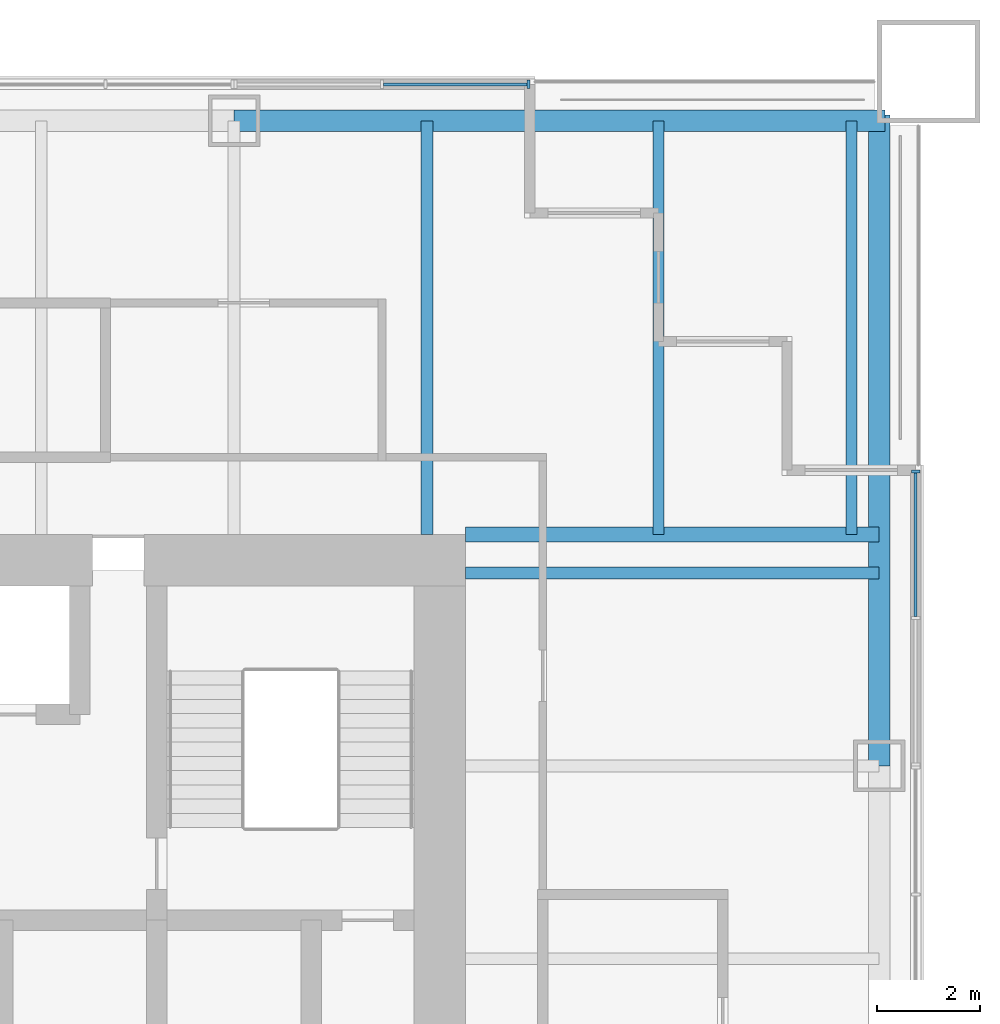
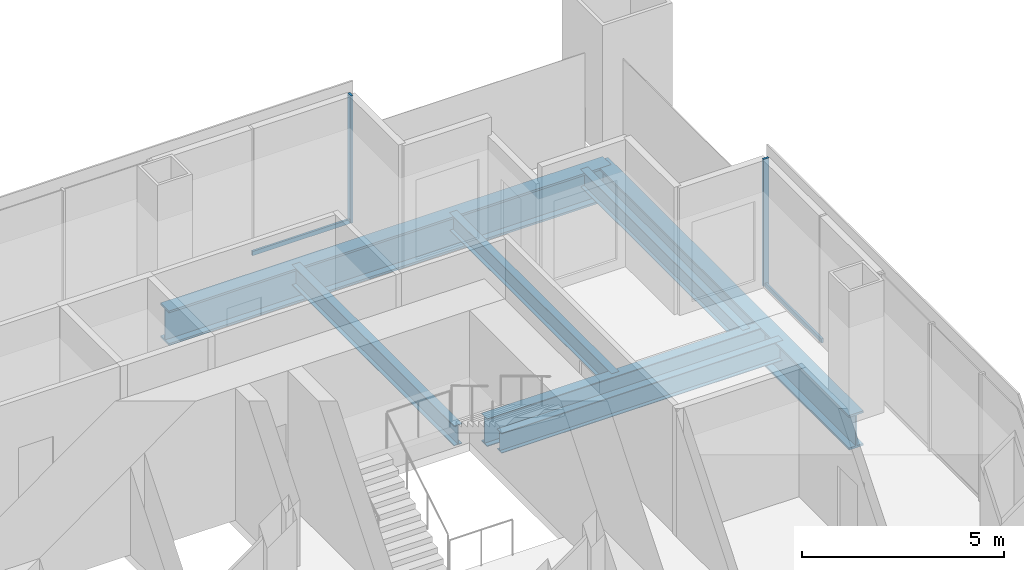
# One storey, part 7 of 14: 7 beams, 4 members, 2 elements without a shape of their own.
"""IFC4 building model written with IfcOpenShell, lengths in metres."""

from ifc_helpers import new_model, si_unit, direction, frame, origin, origin_2d, place, context, subcontext, project, spatial, rectangle, i_section, extrude, material, material_profile, profile_set, type_object, element, aggregate, save


model = new_model("IFC4")

# Units and contexts
model_context = context("Model", 3, precision=1e-05, world=origin(), true_north=direction((0.0, 1.0)))
body_context = subcontext(model_context, "Body", "Model", "MODEL_VIEW")
ifc_project = project(units=[si_unit("LENGTHUNIT", "METRE"), si_unit("AREAUNIT", "SQUARE_METRE"), si_unit("VOLUMEUNIT", "CUBIC_METRE"), si_unit("PLANEANGLEUNIT", "RADIAN"), si_unit("MASSUNIT", "GRAM", prefix="KILO")], contexts=[model_context])

# Site, building, storey
site_placement = place(None, origin())
site = spatial("IfcSite", under=ifc_project, at=site_placement, CompositionType="ELEMENT")
building_placement = place(site_placement, origin())
building = spatial("IfcBuilding", under=site, at=building_placement, Name="Tarangal Relay Tower", CompositionType="ELEMENT")
storey_placement = place(building_placement, frame((0.0, 0.0, 323.89990234375)))
storey = spatial("IfcBuildingStorey", under=building, at=storey_placement, Name="L72", CompositionType="ELEMENT", Elevation=323.89990234375)

# Beams
ifc_material_1 = material(Name="Steel ASTM A992", Category="steel")
ifc_material_profile_1 = material_profile(ifc_material_1, i_section(OverallWidth=0.209228515625, OverallDepth=0.533447265625, WebThickness=0.01025390625, FlangeThickness=0.015625, at=origin_2d()), Name="W21X62")
ifc_profile_set_1 = profile_set([ifc_material_profile_1], Name="Steel ASTM A992")
beam_type_1 = type_object("IfcBeamType", Name="Corner beam W21X62", PredefinedType="JOIST", material=ifc_profile_set_1)
for number, where, z_axis, x_axis, name in (
    (1, (15.75, 12.0, -0.41650390625), (0.0, 1.0, 0.0), (-1.0, 0.0, 0.0), "Corner beam CB12 N L72"),
    (2, (19.5, 12.0, -0.41650390625), (0.0, 1.0, 0.0), (-1.0, 0.0, 0.0), "Corner beam CB12 N L72"),
):
    element("IfcBeam", number, at=place(storey_placement, frame(where, z_axis=z_axis, x_axis=x_axis)), inside=storey, type_object=beam_type_1, Name=name, PredefinedType="JOIST", context=body_context, shape_type="SweptSolid", body=[
        extrude(i_section(OverallWidth=0.209228515625, OverallDepth=0.533447265625, WebThickness=0.01025390625, FlangeThickness=0.015625, at=origin_2d()), origin(), (0.0, 0.0, 1.0), 8.0400390625),
    ])
ifc_material_profile_2 = material_profile(ifc_material_1, i_section(OverallWidth=0.2919921875, OverallDepth=0.8408203125, WebThickness=0.0146484375, FlangeThickness=0.021728515625, at=origin_2d()), Name="W33X130")
ifc_profile_set_2 = profile_set([ifc_material_profile_2], Name="Steel ASTM A992")
beam_type_2 = type_object("IfcBeamType", Name="Corner girder W33X130", PredefinedType="BEAM", material=ifc_profile_set_2)
beam_placement = place(storey_placement, frame((12.0, 12.0, -0.5703125), z_axis=(1.0, 0.0, 0.0), x_axis=(0.0, 1.0, 0.0)))
element("IfcBeam", 3, at=beam_placement, inside=storey, type_object=beam_type_2, Name="Corner girder CG5 N L72", PredefinedType="BEAM", context=body_context, shape_type="SweptSolid", body=[
    extrude(i_section(OverallWidth=0.2919921875, OverallDepth=0.8408203125, WebThickness=0.0146484375, FlangeThickness=0.021728515625, at=origin_2d()), origin(), (0.0, 0.0, 1.0), 8.0400390625),
])
ifc_material_profile_3 = material_profile(ifc_material_1, i_section(OverallWidth=0.41162109375, OverallDepth=1.049072265625, WebThickness=0.033935546875, FlangeThickness=0.059814453125, at=origin_2d()), Name="W40X431")
ifc_profile_set_3 = profile_set([ifc_material_profile_3], Name="Steel ASTM A992")
beam_type_3 = type_object("IfcBeamType", Name="Edge girder W40X431", PredefinedType="SPANDREL", material=ifc_profile_set_3)
for number, where, z_axis, x_axis, name in (
    (4, (7.5, 20.0400390625, -0.67431640625), (1.0, 0.0, 0.0), (0.0, 1.0, 0.0), "Edge girder EG1 N L72"),
    (5, (20.0400390625, 20.14990234375, -0.67431640625), (0.0, -1.0, 0.0), (1.0, 0.0, 0.0), "Edge girder EG1 E L72"),
):
    element("IfcBeam", number, at=place(storey_placement, frame(where, z_axis=z_axis, x_axis=x_axis)), inside=storey, type_object=beam_type_3, Name=name, PredefinedType="SPANDREL", context=body_context, shape_type="SweptSolid", body=[
        extrude(i_section(OverallWidth=0.41162109375, OverallDepth=1.049072265625, WebThickness=0.033935546875, FlangeThickness=0.059814453125, at=origin_2d()), origin(), (0.0, 0.0, 1.0), 12.64990234375),
    ])
ifc_material_profile_4 = material_profile(ifc_material_1, i_section(OverallWidth=0.228271484375, OverallDepth=0.607177734375, WebThickness=0.01123046875, FlangeThickness=0.017333984375, at=origin_2d()), Name="W24X76")
ifc_profile_set_4 = profile_set([ifc_material_profile_4], Name="Steel ASTM A992")
beam_type_4 = type_object("IfcBeamType", Name="Floor beam W24X76", PredefinedType="BEAM", material=ifc_profile_set_4)
for number, where, z_axis, x_axis, name in (
    (6, (11.25, 12.0, -0.453369140625), (0.0, 1.0, 0.0), (-1.0, 0.0, 0.0), "Floor beam RB5 N L72"),
    (7, (12.0, 11.25, -0.453369140625), (1.0, 0.0, 0.0), (0.0, 1.0, 0.0), "Floor beam RB5 E L72"),
):
    element("IfcBeam", number, at=place(storey_placement, frame(where, z_axis=z_axis, x_axis=x_axis)), inside=storey, type_object=beam_type_4, Name=name, PredefinedType="BEAM", context=body_context, shape_type="SweptSolid", body=[
        extrude(i_section(OverallWidth=0.228271484375, OverallDepth=0.607177734375, WebThickness=0.01123046875, FlangeThickness=0.017333984375, at=origin_2d()), origin(), (0.0, 0.0, 1.0), 8.0400390625),
    ])

# Curtain wall, member
ifc_material_2 = material(Name="Unitised curtain wall frame, black aluminium, with metal clad infill walls", Category="aluminium")
curtain_wall_type = type_object("IfcCurtainWallType", Name="Curtain wall CW-BO", PredefinedType="USERDEFINED", material=ifc_material_2)
curtain_wall_1_placement = place(storey_placement, origin())
curtain_wall_1 = element("IfcCurtainWall", 8, at=curtain_wall_1_placement, inside=storey, type_object=curtain_wall_type, Name="Curtain wall CW-BO N facade L72", ObjectType="UNITISED CURTAIN WALL", PredefinedType="USERDEFINED")
ifc_material_3 = material(Name="Black anodised aluminium mullion", Category="aluminium")
ifc_material_profile_5 = material_profile(ifc_material_3, rectangle(XDim=0.159912109375, YDim=0.06005859375, at=origin_2d()), Name="CW-BOM 60X160")
ifc_profile_set_5 = profile_set([ifc_material_profile_5], Name="Black anodised aluminium mullion")
member_type_1 = type_object("IfcMemberType", Name="Mullion CW-BO 60 x 160", PredefinedType="MULLION", material=ifc_profile_set_5)
member_1_placement = place(storey_placement, frame((13.219970703125, 20.75, 0.0), z_axis=(0.0, 0.0, 1.0), x_axis=(0.0, 1.0, 0.0)))
member_1 = element("IfcMember", 9, at=member_1_placement, type_object=member_type_1, Name="CW-BO mullion 3", PredefinedType="MULLION", context=body_context, shape_type="SweptSolid", body=[
    extrude(rectangle(XDim=0.159912109375, YDim=0.06005859375, at=origin_2d()), origin(), (0.0, 0.0, 1.0), 3.85009765625),
])

curtain_wall_2_placement = place(storey_placement, origin())
curtain_wall_2 = element("IfcCurtainWall", 10, at=curtain_wall_2_placement, inside=storey, type_object=curtain_wall_type, Name="Curtain wall CW-BO E facade L72", ObjectType="UNITISED CURTAIN WALL", PredefinedType="USERDEFINED")
member_2_placement = place(storey_placement, frame((20.75, 13.219970703125, 0.0), z_axis=(0.0, 0.0, 1.0), x_axis=(1.0, 0.0, 0.0)))
member_2 = element("IfcMember", 11, at=member_2_placement, type_object=member_type_1, Name="CW-BO mullion 1", PredefinedType="MULLION", context=body_context, shape_type="SweptSolid", body=[
    extrude(rectangle(XDim=0.159912109375, YDim=0.06005859375, at=origin_2d()), origin(), (0.0, 0.0, 1.0), 3.85009765625),
])

# Member
ifc_material_4 = material(Name="Black anodised aluminium transom", Category="aluminium")
ifc_material_profile_6 = material_profile(ifc_material_4, rectangle(XDim=0.06005859375, YDim=0.1298828125, at=origin_2d()), Name="CW-BOT 60X130")
ifc_profile_set_6 = profile_set([ifc_material_profile_6], Name="Black anodised aluminium transom")
member_type_2 = type_object("IfcMemberType", Name="Transom CW-BO 60 x 130", PredefinedType="USERDEFINED", material=ifc_profile_set_6)
member_3_placement = place(storey_placement, frame((10.405029296875, 20.75, 0.030029296875), z_axis=(1.0, 0.0, 0.0), x_axis=(0.0, 1.0, 0.0)))
member_3 = element("IfcMember", 12, at=member_3_placement, type_object=member_type_2, Name="CW-BO transom 2.1", ObjectType="TRANSOM", PredefinedType="USERDEFINED", context=body_context, shape_type="SweptSolid", body=[
    extrude(rectangle(XDim=0.06005859375, YDim=0.1298828125, at=origin_2d()), origin(), (0.0, 0.0, 1.0), 2.784912109375),
])

aggregate(curtain_wall_1, [member_1, member_3])

member_4_placement = place(storey_placement, frame((20.75, 13.18994140625, 0.030029296875), z_axis=(0.0, -1.0, 0.0), x_axis=(1.0, 0.0, 0.0)))
member_4 = element("IfcMember", 13, at=member_4_placement, type_object=member_type_2, Name="CW-BO transom 1.1", ObjectType="TRANSOM", PredefinedType="USERDEFINED", context=body_context, shape_type="SweptSolid", body=[
    extrude(rectangle(XDim=0.06005859375, YDim=0.1298828125, at=origin_2d()), origin(), (0.0, 0.0, 1.0), 2.784912109375),
])

aggregate(curtain_wall_2, [member_2, member_4])

save(model, "model.ifc")
